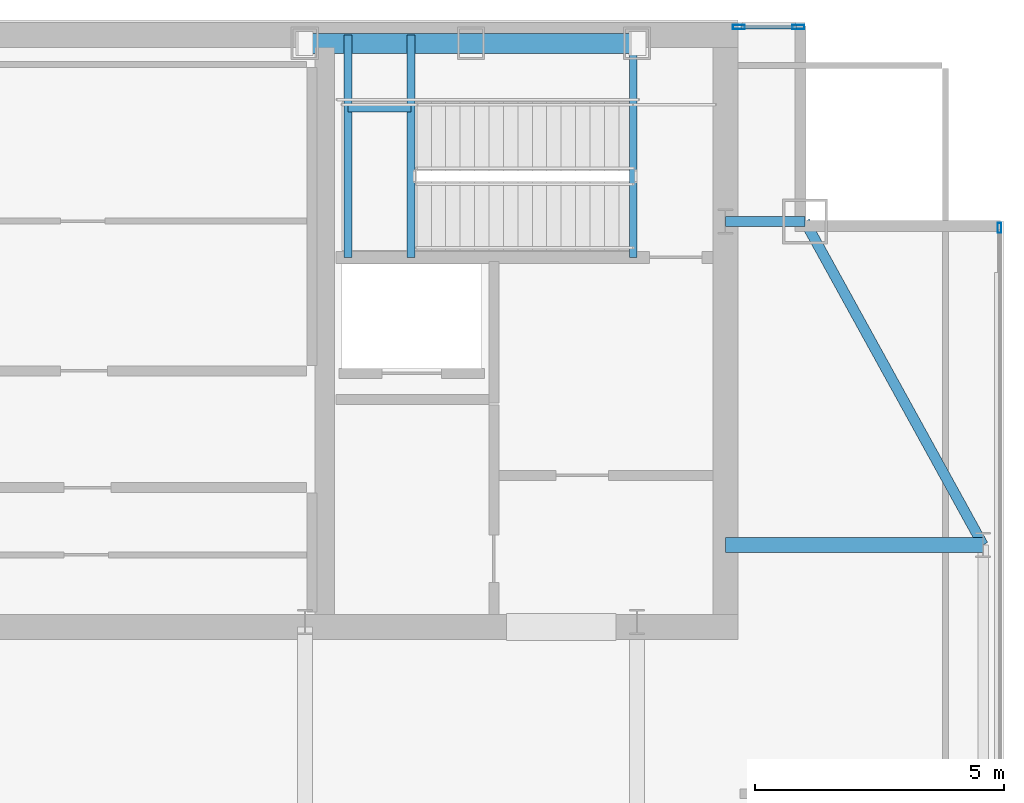
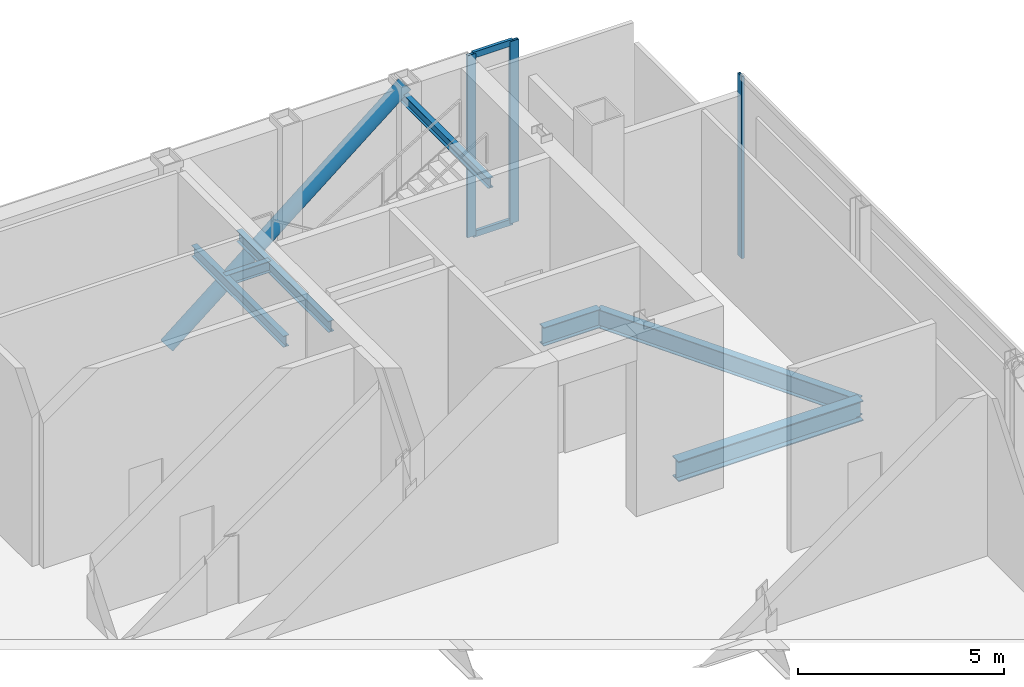
# One storey, part 17 of 22: 7 beams, 6 members, 2 elements without a shape of their own.
"""IFC4 building model written with IfcOpenShell, lengths in metres."""

from ifc_helpers import new_model, si_unit, direction, frame, origin, origin_2d, place, context, subcontext, project, spatial, hollow_rectangle, hollow_circle, i_section, extrude, material, material_profile, profile_set, type_object, element, aggregate, save


model = new_model("IFC4")

# Units and contexts
model_context = context("Model", 3, precision=1e-05, world=origin(), true_north=direction((0.0, 1.0)))
body_context = subcontext(model_context, "Body", "Model", "MODEL_VIEW")
ifc_project = project(units=[si_unit("LENGTHUNIT", "METRE"), si_unit("AREAUNIT", "SQUARE_METRE"), si_unit("VOLUMEUNIT", "CUBIC_METRE"), si_unit("PLANEANGLEUNIT", "RADIAN"), si_unit("MASSUNIT", "GRAM", prefix="KILO")], contexts=[model_context])

# Site, building, storey
site_placement = place(None, origin())
site = spatial("IfcSite", under=ifc_project, at=site_placement, CompositionType="ELEMENT")
building_placement = place(site_placement, origin())
building = spatial("IfcBuilding", under=site, at=building_placement, Name="Khoronbel Lancet Exchange", CompositionType="ELEMENT")
storey_placement = place(building_placement, frame((0.0, 0.0, 373.0)))
storey = spatial("IfcBuildingStorey", under=building, at=storey_placement, Name="L95", CompositionType="ELEMENT", Elevation=373.0)

# Beams
ifc_material_1 = material(Name="Steel S355", Category="steel")
ifc_material_profile_1 = material_profile(ifc_material_1, i_section(OverallWidth=0.300048828125, OverallDepth=0.60009765625, WebThickness=0.015380859375, FlangeThickness=0.030029296875, at=origin_2d()), Name="HEB 600")
ifc_profile_set_1 = profile_set([ifc_material_profile_1], Name="Steel S355")
beam_type_1 = type_object("IfcBeamType", Name="BM-BG5", PredefinedType="BEAM", material=ifc_profile_set_1)
beam_1_placement = place(storey_placement, frame((56.449951171875, 43.199951171875, -0.5), z_axis=(1.0, 0.0, 0.0), x_axis=(0.0, 1.0, 0.0)))
element("IfcBeam", 1, at=beam_1_placement, inside=storey, type_object=beam_type_1, Name="Level L95 east lens tie girder LG3E", PredefinedType="BEAM", context=body_context, shape_type="SweptSolid", body=[
    extrude(i_section(OverallWidth=0.300048828125, OverallDepth=0.60009765625, WebThickness=0.015380859375, FlangeThickness=0.030029296875, at=origin_2d()), origin(), (0.0, 0.0, 1.0), 5.179931640625),
])
ifc_material_profile_2 = material_profile(ifc_material_1, i_section(OverallWidth=0.159912109375, OverallDepth=0.330078125, WebThickness=0.007568359375, FlangeThickness=0.011474609375, at=origin_2d()), Name="IPE 330")
ifc_profile_set_2 = profile_set([ifc_material_profile_2], Name="Steel S355")
beam_type_2 = type_object("IfcBeamType", Name="BM-BJ7", PredefinedType="JOIST", material=ifc_profile_set_2)
for number, where, z_axis, x_axis, name in (
    (2, (50.1298828125, 48.97998046875, 2.43505859375), (0.0, 1.0, 0.0), (-1.0, 0.0, 0.0), "Level L95 stair ST2 landing bearer beam 1"),
    (3, (48.8701171875, 48.97998046875, 2.43505859375), (0.0, 1.0, 0.0), (-1.0, 0.0, 0.0), "Level L95 stair ST2 rear landing bearer beam 1"),
):
    element("IfcBeam", number, at=place(storey_placement, frame(where, z_axis=z_axis, x_axis=x_axis)), inside=storey, type_object=beam_type_2, Name=name, PredefinedType="JOIST", context=body_context, shape_type="SweptSolid", body=[
        extrude(i_section(OverallWidth=0.159912109375, OverallDepth=0.330078125, WebThickness=0.007568359375, FlangeThickness=0.011474609375, at=origin_2d()), origin(), (0.0, 0.0, 1.0), 4.469970703125),
    ])
beam_2_placement = place(storey_placement, frame((48.8701171875, 51.97998046875, 2.43505859375), z_axis=(1.0, 0.0, 0.0), x_axis=(0.0, 1.0, 0.0)))
element("IfcBeam", 4, at=beam_2_placement, inside=storey, type_object=beam_type_2, Name="Level L95 stair ST2 landing cross trimmer beam 1", PredefinedType="JOIST", context=body_context, shape_type="SweptSolid", body=[
    extrude(i_section(OverallWidth=0.159912109375, OverallDepth=0.330078125, WebThickness=0.007568359375, FlangeThickness=0.011474609375, at=origin_2d()), origin(), (0.0, 0.0, 1.0), 1.259765625),
])
ifc_material_profile_3 = material_profile(ifc_material_1, i_section(OverallWidth=0.14990234375, OverallDepth=0.300048828125, WebThickness=0.007080078125, FlangeThickness=0.0107421875, at=origin_2d()), Name="IPE 300")
ifc_profile_set_3 = profile_set([ifc_material_profile_3], Name="Steel S355")
beam_type_3 = type_object("IfcBeamType", Name="BM-BJ8", PredefinedType="JOIST", material=ifc_profile_set_3)
beam_3_placement = place(storey_placement, frame((54.60009765625, 48.97998046875, 5.1201171875), z_axis=(0.0, 1.0, 0.0), x_axis=(-1.0, 0.0, 0.0)))
element("IfcBeam", 5, at=beam_3_placement, inside=storey, type_object=beam_type_3, Name="Level L95 stair ST2 upper-flight arrival trimmer beam", PredefinedType="JOIST", context=body_context, shape_type="SweptSolid", body=[
    extrude(i_section(OverallWidth=0.14990234375, OverallDepth=0.300048828125, WebThickness=0.007080078125, FlangeThickness=0.0107421875, at=origin_2d()), origin(), (0.0, 0.0, 1.0), 4.469970703125),
])
ifc_material_profile_4 = material_profile(ifc_material_1, i_section(OverallWidth=0.2099609375, OverallDepth=0.550048828125, WebThickness=0.010986328125, FlangeThickness=0.01708984375, at=origin_2d()), Name="IPE 550")
ifc_profile_set_4 = profile_set([ifc_material_profile_4], Name="Steel S355")
beam_type_4 = type_object("IfcBeamType", Name="BM-BSP3", PredefinedType="SPANDREL", material=ifc_profile_set_4)
beam_4_placement = place(storey_placement, frame((61.6298828125, 43.199951171875, -0.47509765625), z_axis=(-0.482418808117, 0.875940690672, 0.0), x_axis=(-0.875940690672, -0.482418808117, 0.0)))
element("IfcBeam", 6, at=beam_4_placement, inside=storey, type_object=beam_type_4, Name="Level L95 perimeter spandrel beam SP13", PredefinedType="SPANDREL", context=body_context, shape_type="SweptSolid", body=[
    extrude(i_section(OverallWidth=0.2099609375, OverallDepth=0.550048828125, WebThickness=0.010986328125, FlangeThickness=0.01708984375, at=origin_2d()), origin(), (0.0, 0.0, 1.0), 7.420654296875),
])
beam_5_placement = place(storey_placement, frame((58.050048828125, 49.699951171875, -0.47509765625), z_axis=(-1.0, 0.0, 0.0), x_axis=(0.0, -1.0, 0.0)))
element("IfcBeam", 7, at=beam_5_placement, inside=storey, type_object=beam_type_4, Name="Level L95 north flank tie spandrel SP21", PredefinedType="SPANDREL", context=body_context, shape_type="SweptSolid", body=[
    extrude(i_section(OverallWidth=0.2099609375, OverallDepth=0.550048828125, WebThickness=0.010986328125, FlangeThickness=0.01708984375, at=origin_2d()), origin(), (0.0, 0.0, 1.0), 1.60009765625),
])

# Curtain wall, members
ifc_material_2 = material(Name="Low-E Solar Control Insulating Glass", Category="glass")
curtain_wall_type = type_object("IfcCurtainWallType", Name="CW-6", PredefinedType="NOTDEFINED", material=ifc_material_2)
curtain_wall_1_placement = place(storey_placement, origin())
curtain_wall_1 = element("IfcCurtainWall", 8, at=curtain_wall_1_placement, inside=storey, type_object=curtain_wall_type, Name="Unitised curtain wall CW-L95-NEFLK", PredefinedType="NOTDEFINED")
ifc_material_3 = material(Name="Bronze-Anodised Aluminium 6063-T6", Category="aluminium")
ifc_material_profile_5 = material_profile(ifc_material_3, hollow_rectangle(XDim=0.0849609375, YDim=0.239990234375, WallThickness=0.006103515625, at=origin_2d()), Name="ALU MULLION 85x240")
ifc_profile_set_5 = profile_set([ifc_material_profile_5], Name="Bronze-Anodised Aluminium 6063-T6")
member_type_1 = type_object("IfcMemberType", Name="MEM-CWM1", PredefinedType="MULLION", material=ifc_profile_set_5)
member_1_placement = place(storey_placement, frame((57.91748046875, 53.610107421875, 0.0), z_axis=(0.0, 0.0, 1.0), x_axis=(0.0, -1.0, 0.0)))
member_1 = element("IfcMember", 9, at=member_1_placement, type_object=member_type_1, Name="CW6 mullion 1", PredefinedType="MULLION", context=body_context, shape_type="SweptSolid", body=[
    extrude(hollow_rectangle(XDim=0.0849609375, YDim=0.239990234375, WallThickness=0.006103515625, at=origin_2d()), origin(), (0.0, 0.0, 1.0), 5.39990234375),
])
member_2_placement = place(storey_placement, frame((56.722412109375, 53.610107421875, 0.0), z_axis=(0.0, 0.0, 1.0), x_axis=(0.0, -1.0, 0.0)))
member_2 = element("IfcMember", 10, at=member_2_placement, type_object=member_type_1, Name="CW6 mullion 2", PredefinedType="MULLION", context=body_context, shape_type="SweptSolid", body=[
    extrude(hollow_rectangle(XDim=0.0849609375, YDim=0.239990234375, WallThickness=0.006103515625, at=origin_2d()), origin(), (0.0, 0.0, 1.0), 5.39990234375),
])

# Curtain wall, member
curtain_wall_2_placement = place(storey_placement, origin())
curtain_wall_2 = element("IfcCurtainWall", 11, at=curtain_wall_2_placement, inside=storey, type_object=curtain_wall_type, Name="Unitised curtain wall CW-L95-E09", PredefinedType="NOTDEFINED")
ifc_material_profile_6 = material_profile(ifc_material_3, hollow_rectangle(XDim=0.074951171875, YDim=0.199951171875, WallThickness=0.0048828125, at=origin_2d()), Name="ALU MULLION 75x200")
ifc_profile_set_6 = profile_set([ifc_material_profile_6], Name="Bronze-Anodised Aluminium 6063-T6")
member_type_2 = type_object("IfcMemberType", Name="MEM-CWM2", PredefinedType="MULLION", material=ifc_profile_set_6)
member_3_placement = place(storey_placement, frame((61.9599609375, 49.572509765625, 0.0), z_axis=(0.0, 0.0, 1.0), x_axis=(1.0, 0.0, 0.0)))
member_3 = element("IfcMember", 12, at=member_3_placement, type_object=member_type_2, Name="CW6 mullion 1", PredefinedType="MULLION", context=body_context, shape_type="SweptSolid", body=[
    extrude(hollow_rectangle(XDim=0.074951171875, YDim=0.199951171875, WallThickness=0.0048828125, at=origin_2d()), origin(), (0.0, 0.0, 1.0), 5.39990234375),
])
aggregate(curtain_wall_2, [member_3])

# Member
ifc_material_profile_7 = material_profile(ifc_material_3, hollow_rectangle(XDim=0.0849609375, YDim=0.179931640625, WallThickness=0.0048828125, at=origin_2d()), Name="ALU TRANSOM 85x180")
ifc_profile_set_7 = profile_set([ifc_material_profile_7], Name="Bronze-Anodised Aluminium 6063-T6")
member_type_3 = type_object("IfcMemberType", Name="MEM-CWT1", PredefinedType="USERDEFINED", material=ifc_profile_set_7)
member_4_placement = place(storey_placement, frame((57.875, 53.610107421875, 0.04248046875), z_axis=(-1.0, 0.0, 0.0), x_axis=(0.0, -1.0, 0.0)))
member_4 = element("IfcMember", 13, at=member_4_placement, type_object=member_type_3, Name="CW6 transom 1.1", ObjectType="TRANSOM", PredefinedType="USERDEFINED", context=body_context, shape_type="SweptSolid", body=[
    extrude(hollow_rectangle(XDim=0.0849609375, YDim=0.179931640625, WallThickness=0.0048828125, at=origin_2d()), origin(), (0.0, 0.0, 1.0), 1.110107421875),
])

member_5_placement = place(storey_placement, frame((57.875, 53.610107421875, 5.357421875), z_axis=(-1.0, 0.0, 0.0), x_axis=(0.0, -1.0, 0.0)))
member_5 = element("IfcMember", 14, at=member_5_placement, type_object=member_type_3, Name="CW6 transom 1.2", ObjectType="TRANSOM", PredefinedType="USERDEFINED", context=body_context, shape_type="SweptSolid", body=[
    extrude(hollow_rectangle(XDim=0.0849609375, YDim=0.179931640625, WallThickness=0.0048828125, at=origin_2d()), origin(), (0.0, 0.0, 1.0), 1.110107421875),
])

aggregate(curtain_wall_1, [member_1, member_2, member_4, member_5])

ifc_material_profile_8 = material_profile(ifc_material_1, hollow_circle(Radius=0.203125, WallThickness=0.02001953125, at=origin_2d()), Name="CHS 406.4x20")
ifc_profile_set_8 = profile_set([ifc_material_profile_8], Name="Steel S355")
member_type_4 = type_object("IfcMemberType", Name="MEM-STR2", PredefinedType="STRUT", material=ifc_profile_set_8)
member_6_placement = place(storey_placement, frame((48.0, 53.280029296875, 0.0), z_axis=(0.77631632481, 0.0, 0.630343528429), x_axis=(0.0, 1.0, 0.0)))
element("IfcMember", 15, at=member_6_placement, inside=storey, type_object=member_type_4, Name="CROWN FRAME diagonal ring brace L95-N2", PredefinedType="STRUT", context=body_context, shape_type="SweptSolid", body=[
    extrude(hollow_circle(Radius=0.203125, WallThickness=0.02001953125, at=origin_2d()), origin(), (0.0, 0.0, 1.0), 8.598388671875),
])

save(model, "model.ifc")
